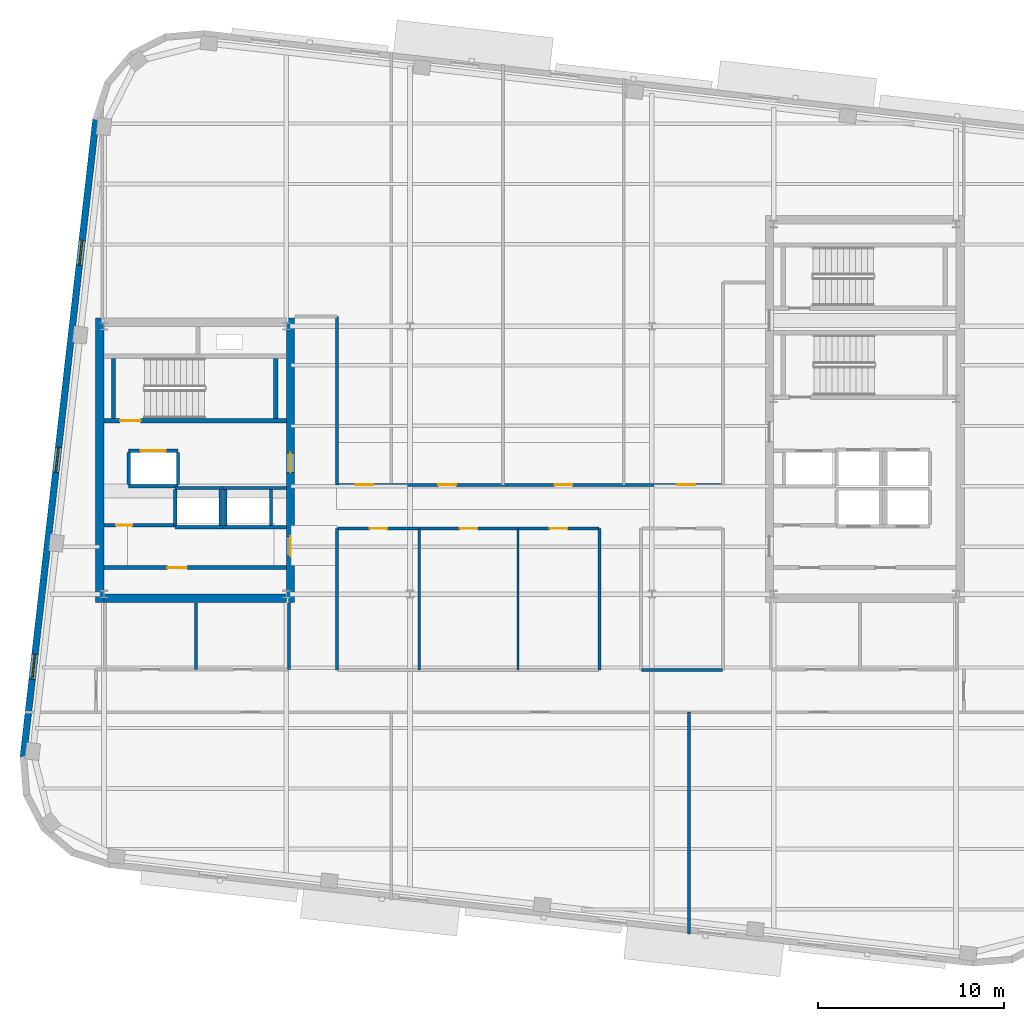
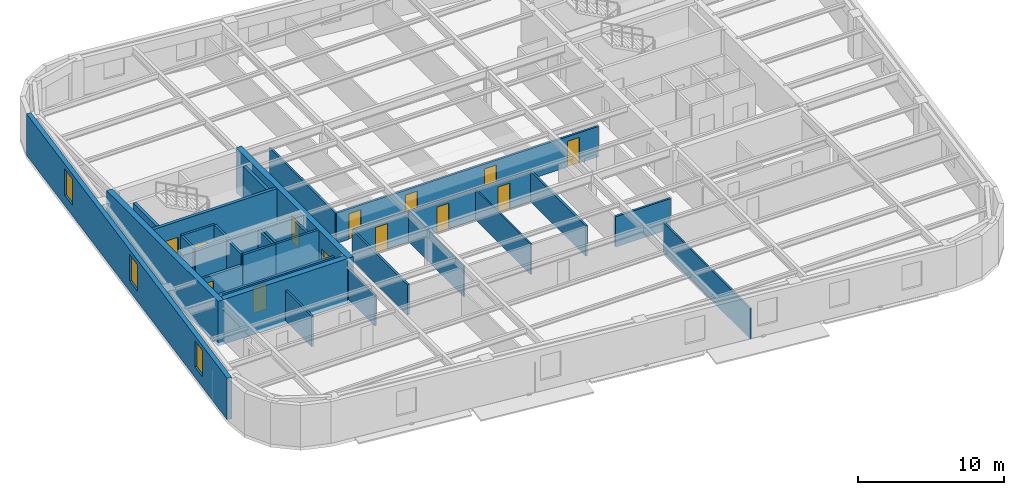
# One storey, part 6 of 13: 32 walls, 13 doors, 3 windows, 16 openings.
"""IFC4 building model written with IfcOpenShell, lengths in metres."""

from ifc_helpers import new_model, si_unit, direction, frame, frame_2d, origin, place, context, subcontext, project, spatial, rectangle, extrude, material, layer, layer_set, type_object, element, fill, save


model = new_model("IFC4")

# Units and contexts
model_context = context("Model", 3, precision=1e-05, world=origin(), true_north=direction((0.0, 1.0)))
body_context = subcontext(model_context, "Body", "Model", "MODEL_VIEW")
ifc_project = project(units=[si_unit("LENGTHUNIT", "METRE"), si_unit("AREAUNIT", "SQUARE_METRE"), si_unit("VOLUMEUNIT", "CUBIC_METRE"), si_unit("PLANEANGLEUNIT", "RADIAN"), si_unit("MASSUNIT", "GRAM", prefix="KILO")], contexts=[model_context])

# Site, building, storey
site_placement = place(None, origin())
site = spatial("IfcSite", under=ifc_project, at=site_placement, CompositionType="ELEMENT")
building_placement = place(site_placement, origin())
building = spatial("IfcBuilding", under=site, at=building_placement, Name="Kolvaren Arena Tower", CompositionType="ELEMENT")
storey_placement = place(building_placement, frame((0.0, 0.0, 243.449951171875)))
storey = spatial("IfcBuildingStorey", under=building, at=storey_placement, Name="L59", CompositionType="ELEMENT", Elevation=243.449951171875)

# Wall, openings, doors
ifc_material_1 = material(Name="Gypsum board acoustic assembly", Category="gypsum")
ifc_layer_1 = layer(ifc_material_1, 0.159912109375)
ifc_layer_set_1 = layer_set([ifc_layer_1], Name="Gypsum board acoustic assembly")
wall_type_1 = type_object("IfcWallType", Name="CORR-160", PredefinedType="PARTITIONING", material=ifc_layer_set_1)
wall_1_placement = place(storey_placement, frame((27.080078125, 25.320068359375, 0.0), z_axis=(0.0, 0.0, 1.0), x_axis=(1.0, 0.0, 0.0)))
wall_1 = element("IfcWall", 1, at=wall_1_placement, inside=storey, type_object=wall_type_1, Name="Interior Partition Wall (L59)", PredefinedType="PARTITIONING", context=body_context, shape_type="SweptSolid", body=[
    extrude(rectangle(XDim=20.739990234375, YDim=0.159912109375, at=frame_2d((10.3701171875, 0.0))), origin(), (0.0, 0.0, 1.0), 2.5400390625),
])
opening_1_placement = place(wall_1_placement, frame((0.9951171875, 0.0, 0.0)))
opening_1 = element("IfcOpeningElement", 2, at=opening_1_placement, cuts=wall_1, Name="Opening D05", PredefinedType="OPENING", context=body_context, shape_type="SweptSolid", body=[
    extrude(rectangle(XDim=0.949951171875, YDim=2.14990234375, at=frame_2d((0.47509765625, 1.074951171875))), frame((0.0, 0.08984375, 0.0), z_axis=(0.0, -1.0, 0.0), x_axis=(1.0, 0.0, 0.0)), (0.0, 0.0, 1.0), 0.179931640625),
])
opening_2_placement = place(wall_1_placement, frame((5.445068359375, 0.0, 0.0)))
opening_2 = element("IfcOpeningElement", 3, at=opening_2_placement, cuts=wall_1, Name="Opening D05", PredefinedType="OPENING", context=body_context, shape_type="SweptSolid", body=[
    extrude(rectangle(XDim=0.949951171875, YDim=2.14990234375, at=frame_2d((0.47509765625, 1.074951171875))), frame((0.0, 0.08984375, 0.0), z_axis=(0.0, -1.0, 0.0), x_axis=(1.0, 0.0, 0.0)), (0.0, 0.0, 1.0), 0.179931640625),
])
opening_3_placement = place(wall_1_placement, frame((11.695068359375, 0.0, 0.0)))
opening_3 = element("IfcOpeningElement", 4, at=opening_3_placement, cuts=wall_1, Name="Opening D05", PredefinedType="OPENING", context=body_context, shape_type="SweptSolid", body=[
    extrude(rectangle(XDim=0.949951171875, YDim=2.14990234375, at=frame_2d((0.47509765625, 1.074951171875))), frame((0.0, 0.08984375, 0.0), z_axis=(0.0, -1.0, 0.0), x_axis=(1.0, 0.0, 0.0)), (0.0, 0.0, 1.0), 0.179931640625),
])
opening_4_placement = place(wall_1_placement, frame((18.294921875, 0.0, 0.0)))
opening_4 = element("IfcOpeningElement", 5, at=opening_4_placement, cuts=wall_1, Name="Opening D05", PredefinedType="OPENING", context=body_context, shape_type="SweptSolid", body=[
    extrude(rectangle(XDim=0.949951171875, YDim=2.14990234375, at=frame_2d((0.47509765625, 1.074951171875))), frame((0.0, 0.08984375, 0.0), z_axis=(0.0, -1.0, 0.0), x_axis=(1.0, 0.0, 0.0)), (0.0, 0.0, 1.0), 0.179931640625),
])
ifc_material_2 = material(Name="Solid-core oak acoustic office door", Category="wood")
door_type_1 = type_object("IfcDoorType", Name="DOOR-OF-095", OperationType="NOTDEFINED", PredefinedType="DOOR", material=ifc_material_2)
door_1_placement = place(opening_1_placement, origin())
door_1 = element("IfcDoor", 6, at=door_1_placement, inside=storey, type_object=door_type_1, Name="Corporate Project Office Door (L59)", OperationType="SINGLE_SWING_RIGHT", OverallHeight=2.14990234375, OverallWidth=0.949951171875, PredefinedType="DOOR", context=body_context, shape_type="SweptSolid", body=[
    extrude(rectangle(XDim=0.949951171875, YDim=2.14990234375, at=frame_2d((0.47509765625, 1.074951171875))), frame((0.0, 0.02490234375, 0.0), z_axis=(0.0, -1.0, 0.0), x_axis=(1.0, 0.0, 0.0)), (0.0, 0.0, 1.0), 0.050048828125),
])
fill(opening_1, door_1)
door_2_placement = place(opening_2_placement, origin())
door_2 = element("IfcDoor", 7, at=door_2_placement, inside=storey, type_object=door_type_1, Name="Breakout Pantry and Kitchen Door (L59)", OperationType="SINGLE_SWING_LEFT", OverallHeight=2.14990234375, OverallWidth=0.949951171875, PredefinedType="DOOR", context=body_context, shape_type="SweptSolid", body=[
    extrude(rectangle(XDim=0.949951171875, YDim=2.14990234375, at=frame_2d((0.47509765625, 1.074951171875))), frame((0.0, 0.02490234375, 0.0), z_axis=(0.0, -1.0, 0.0), x_axis=(1.0, 0.0, 0.0)), (0.0, 0.0, 1.0), 0.050048828125),
])
fill(opening_2, door_2)
door_3_placement = place(opening_3_placement, origin())
door_3 = element("IfcDoor", 8, at=door_3_placement, inside=storey, type_object=door_type_1, Name="Executive Office Door (L59)", OperationType="SINGLE_SWING_RIGHT", OverallHeight=2.14990234375, OverallWidth=0.949951171875, PredefinedType="DOOR", context=body_context, shape_type="SweptSolid", body=[
    extrude(rectangle(XDim=0.949951171875, YDim=2.14990234375, at=frame_2d((0.47509765625, 1.074951171875))), frame((0.0, 0.02490234375, 0.0), z_axis=(0.0, -1.0, 0.0), x_axis=(1.0, 0.0, 0.0)), (0.0, 0.0, 1.0), 0.050048828125),
])
fill(opening_3, door_3)
door_4_placement = place(opening_4_placement, origin())
door_4 = element("IfcDoor", 9, at=door_4_placement, inside=storey, type_object=door_type_1, Name="Collaborative Work Studio Door (L59)", OperationType="SINGLE_SWING_LEFT", OverallHeight=2.14990234375, OverallWidth=0.949951171875, PredefinedType="DOOR", context=body_context, shape_type="SweptSolid", body=[
    extrude(rectangle(XDim=0.949951171875, YDim=2.14990234375, at=frame_2d((0.47509765625, 1.074951171875))), frame((0.0, 0.02490234375, 0.0), z_axis=(0.0, -1.0, 0.0), x_axis=(1.0, 0.0, 0.0)), (0.0, 0.0, 1.0), 0.050048828125),
])
fill(opening_4, door_4)

# Wall
wall_2_placement = place(storey_placement, frame((27.080078125, 25.320068359375, 0.0), z_axis=(0.0, 0.0, 1.0), x_axis=(0.0, 1.0, 0.0)))
element("IfcWall", 10, at=wall_2_placement, inside=storey, type_object=wall_type_1, Name="Interior Partition Wall (L59)", PredefinedType="PARTITIONING", context=body_context, shape_type="SweptSolid", body=[
    extrude(rectangle(XDim=9.059814453125, YDim=0.159912109375, at=frame_2d((4.52978515625, 0.0))), origin(), (0.0, 0.0, 1.0), 2.5400390625),
])

# Wall, openings, doors
wall_3_placement = place(storey_placement, frame((27.10009765625, 22.97998046875, 0.0), z_axis=(0.0, 0.0, 1.0), x_axis=(1.0, 0.0, 0.0)))
wall_3 = element("IfcWall", 11, at=wall_3_placement, inside=storey, type_object=wall_type_1, Name="Interior Partition Wall (L59)", PredefinedType="PARTITIONING", context=body_context, shape_type="SweptSolid", body=[
    extrude(rectangle(XDim=14.059814453125, YDim=0.159912109375, at=frame_2d((7.02978515625, 0.0))), origin(), (0.0, 0.0, 1.0), 2.5400390625),
])
opening_5_placement = place(wall_3_placement, frame((1.72509765625, 0.0, 0.0)))
opening_5 = element("IfcOpeningElement", 12, at=opening_5_placement, cuts=wall_3, Name="Opening D05", PredefinedType="OPENING", context=body_context, shape_type="SweptSolid", body=[
    extrude(rectangle(XDim=0.949951171875, YDim=2.14990234375, at=frame_2d((0.47509765625, 1.074951171875))), frame((0.0, 0.08984375, 0.0), z_axis=(0.0, -1.0, 0.0), x_axis=(1.0, 0.0, 0.0)), (0.0, 0.0, 1.0), 0.179931640625),
])
opening_6_placement = place(wall_3_placement, frame((6.574951171875, 0.0, 0.0)))
opening_6 = element("IfcOpeningElement", 13, at=opening_6_placement, cuts=wall_3, Name="Opening D05", PredefinedType="OPENING", context=body_context, shape_type="SweptSolid", body=[
    extrude(rectangle(XDim=0.949951171875, YDim=2.14990234375, at=frame_2d((0.47509765625, 1.074951171875))), frame((0.0, 0.08984375, 0.0), z_axis=(0.0, -1.0, 0.0), x_axis=(1.0, 0.0, 0.0)), (0.0, 0.0, 1.0), 0.179931640625),
])
opening_7_placement = place(wall_3_placement, frame((11.405029296875, 0.0, 0.0)))
opening_7 = element("IfcOpeningElement", 14, at=opening_7_placement, cuts=wall_3, Name="Opening D05", PredefinedType="OPENING", context=body_context, shape_type="SweptSolid", body=[
    extrude(rectangle(XDim=0.949951171875, YDim=2.14990234375, at=frame_2d((0.47509765625, 1.074951171875))), frame((0.0, 0.08984375, 0.0), z_axis=(0.0, -1.0, 0.0), x_axis=(1.0, 0.0, 0.0)), (0.0, 0.0, 1.0), 0.179931640625),
])
door_5_placement = place(opening_5_placement, origin())
door_5 = element("IfcDoor", 15, at=door_5_placement, inside=storey, type_object=door_type_1, Name="Meeting Room Door (L59)", OperationType="SINGLE_SWING_RIGHT", OverallHeight=2.14990234375, OverallWidth=0.949951171875, PredefinedType="DOOR", context=body_context, shape_type="SweptSolid", body=[
    extrude(rectangle(XDim=0.949951171875, YDim=2.14990234375, at=frame_2d((0.47509765625, 1.074951171875))), frame((0.0, 0.02490234375, 0.0), z_axis=(0.0, -1.0, 0.0), x_axis=(1.0, 0.0, 0.0)), (0.0, 0.0, 1.0), 0.050048828125),
])
fill(opening_5, door_5)
door_6_placement = place(opening_6_placement, origin())
door_6 = element("IfcDoor", 16, at=door_6_placement, inside=storey, type_object=door_type_1, Name="Copy and Print Room Door (L59)", OperationType="SINGLE_SWING_LEFT", OverallHeight=2.14990234375, OverallWidth=0.949951171875, PredefinedType="DOOR", context=body_context, shape_type="SweptSolid", body=[
    extrude(rectangle(XDim=0.949951171875, YDim=2.14990234375, at=frame_2d((0.47509765625, 1.074951171875))), frame((0.0, 0.02490234375, 0.0), z_axis=(0.0, -1.0, 0.0), x_axis=(1.0, 0.0, 0.0)), (0.0, 0.0, 1.0), 0.050048828125),
])
fill(opening_6, door_6)
door_7_placement = place(opening_7_placement, origin())
door_7 = element("IfcDoor", 17, at=door_7_placement, inside=storey, type_object=door_type_1, Name="Boardroom Door (L59)", OperationType="SINGLE_SWING_RIGHT", OverallHeight=2.14990234375, OverallWidth=0.949951171875, PredefinedType="DOOR", context=body_context, shape_type="SweptSolid", body=[
    extrude(rectangle(XDim=0.949951171875, YDim=2.14990234375, at=frame_2d((0.47509765625, 1.074951171875))), frame((0.0, 0.02490234375, 0.0), z_axis=(0.0, -1.0, 0.0), x_axis=(1.0, 0.0, 0.0)), (0.0, 0.0, 1.0), 0.050048828125),
])
fill(opening_7, door_7)

# Walls
wall_4_placement = place(storey_placement, frame((43.43994140625, 15.3798828125, 0.0), z_axis=(0.0, 0.0, 1.0), x_axis=(1.0, 0.0, 0.0)))
element("IfcWall", 18, at=wall_4_placement, inside=storey, type_object=wall_type_1, Name="Interior Partition Wall (L59)", PredefinedType="PARTITIONING", context=body_context, shape_type="SweptSolid", body=[
    extrude(rectangle(XDim=4.360107421875, YDim=0.159912109375, at=frame_2d((2.18017578125, 0.0))), origin(), (0.0, 0.0, 1.0), 2.5400390625),
])
for number, where, z_axis, x_axis, name in (
    (19, (41.179931640625, 15.3798828125, 0.0), (0.0, 0.0, 1.0), (0.0, 1.0, 0.0), "Interior Partition Wall (L59)"),
    (20, (27.080078125, 15.3798828125, 0.0), (0.0, 0.0, 1.0), (0.0, 1.0, 0.0), "Interior Partition Wall (L59)"),
):
    element("IfcWall", number, at=place(storey_placement, frame(where, z_axis=z_axis, x_axis=x_axis)), inside=storey, type_object=wall_type_1, Name=name, PredefinedType="PARTITIONING", context=body_context, shape_type="SweptSolid", body=[
        extrude(rectangle(XDim=7.60009765625, YDim=0.159912109375, at=frame_2d((3.800048828125, 0.0))), origin(), (0.0, 0.0, 1.0), 2.5400390625),
    ])
ifc_material_3 = material(Name="Concrete 55 MPa", Category="concrete")
ifc_layer_2 = layer(ifc_material_3, 0.449951171875)
ifc_layer_set_2 = layer_set([ifc_layer_2], Name="Concrete 55 MPa")
wall_type_2 = type_object("IfcWallType", Name="CWALL-450", PredefinedType="SHEAR", material=ifc_layer_set_2)
wall_5_placement = place(storey_placement, frame((14.324951171875, 19.0, -0.27001953125), z_axis=(0.0, 0.0, 1.0), x_axis=(0.0, 1.0, 0.0)))
element("IfcWall", 21, at=wall_5_placement, inside=storey, type_object=wall_type_2, Name="Core Shear Wall WC-WEST (L59)", PredefinedType="SHEAR", context=body_context, shape_type="SweptSolid", body=[
    extrude(rectangle(XDim=15.300048828125, YDim=0.449951171875, at=frame_2d((7.64990234375, 0.0))), origin(), (0.0, 0.0, 1.0), 3.75),
])

# Wall, openings, doors
wall_6_placement = place(storey_placement, frame((24.574951171875, 19.0, -0.27001953125), z_axis=(0.0, 0.0, 1.0), x_axis=(0.0, 1.0, 0.0)))
wall_6 = element("IfcWall", 22, at=wall_6_placement, inside=storey, type_object=wall_type_2, Name="Core Shear Wall WC-EAST (L59)", PredefinedType="SHEAR", context=body_context, shape_type="SweptSolid", body=[
    extrude(rectangle(XDim=15.300048828125, YDim=0.449951171875, at=frame_2d((7.64990234375, 0.0))), origin(), (0.0, 0.0, 1.0), 3.75),
])
opening_8_placement = place(wall_6_placement, frame((2.5, 0.0, 0.27001953125)))
opening_8 = element("IfcOpeningElement", 23, at=opening_8_placement, cuts=wall_6, Name="Opening D04", PredefinedType="OPENING", context=body_context, shape_type="SweptSolid", body=[
    extrude(rectangle(XDim=1.050048828125, YDim=2.14990234375, at=frame_2d((0.52490234375, 1.074951171875))), frame((0.0, 0.23486328125, 0.0), z_axis=(0.0, -1.0, 0.0), x_axis=(1.0, 0.0, 0.0)), (0.0, 0.0, 1.0), 0.469970703125),
])
opening_9_placement = place(wall_6_placement, frame((7.0, 0.0, 0.27001953125)))
opening_9 = element("IfcOpeningElement", 24, at=opening_9_placement, cuts=wall_6, Name="Opening D04", PredefinedType="OPENING", context=body_context, shape_type="SweptSolid", body=[
    extrude(rectangle(XDim=1.050048828125, YDim=2.14990234375, at=frame_2d((0.52490234375, 1.074951171875))), frame((0.0, 0.23486328125, 0.0), z_axis=(0.0, -1.0, 0.0), x_axis=(1.0, 0.0, 0.0)), (0.0, 0.0, 1.0), 0.469970703125),
])
ifc_material_4 = material(Name="Fire-rated steel lobby door", Category="steel")
door_type_2 = type_object("IfcDoorType", Name="DOOR-FF-105", OperationType="NOTDEFINED", PredefinedType="DOOR", material=ifc_material_4)
door_8_placement = place(opening_8_placement, origin())
door_8 = element("IfcDoor", 25, at=door_8_placement, inside=storey, type_object=door_type_2, Name="West Lift Lobby Fire Door (L59)", OperationType="SINGLE_SWING_LEFT", OverallHeight=2.14990234375, OverallWidth=1.050048828125, PredefinedType="DOOR", context=body_context, shape_type="SweptSolid", body=[
    extrude(rectangle(XDim=1.050048828125, YDim=2.14990234375, at=frame_2d((0.52490234375, 1.074951171875))), frame((0.0, 0.02490234375, 0.0), z_axis=(0.0, -1.0, 0.0), x_axis=(1.0, 0.0, 0.0)), (0.0, 0.0, 1.0), 0.050048828125),
])
fill(opening_8, door_8)
door_9_placement = place(opening_9_placement, origin())
door_9 = element("IfcDoor", 26, at=door_9_placement, inside=storey, type_object=door_type_2, Name="West Firefighter Vestibule Door (L59)", OperationType="SINGLE_SWING_RIGHT", OverallHeight=2.14990234375, OverallWidth=1.050048828125, PredefinedType="DOOR", context=body_context, shape_type="SweptSolid", body=[
    extrude(rectangle(XDim=1.050048828125, YDim=2.14990234375, at=frame_2d((0.52490234375, 1.074951171875))), frame((0.0, 0.02490234375, 0.0), z_axis=(0.0, -1.0, 0.0), x_axis=(1.0, 0.0, 0.0)), (0.0, 0.0, 1.0), 0.050048828125),
])
fill(opening_9, door_9)

# Wall
wall_7_placement = place(storey_placement, frame((14.550048828125, 19.22509765625, -0.27001953125), z_axis=(0.0, 0.0, 1.0), x_axis=(1.0, 0.0, 0.0)))
element("IfcWall", 27, at=wall_7_placement, inside=storey, type_object=wall_type_2, Name="Core Shear Wall WC-SOUTH (L59)", PredefinedType="SHEAR", context=body_context, shape_type="SweptSolid", body=[
    extrude(rectangle(XDim=9.800048828125, YDim=0.449951171875, at=frame_2d((4.89990234375, 0.0))), origin(), (0.0, 0.0, 1.0), 3.75),
])

# Wall, openings, windows
ifc_material_5 = material(Name="Precast concrete C50/60", Category="concrete")
ifc_layer_3 = layer(ifc_material_5, 0.360107421875)
ifc_layer_set_3 = layer_set([ifc_layer_3], Name="Precast concrete C50/60")
wall_type_3 = type_object("IfcWallType", Name="EXT-PIER2", PredefinedType="SOLIDWALL", material=ifc_layer_set_3)
wall_8_placement = place(storey_placement, frame((10.211181640625, 10.70068359375, 0.0), z_axis=(0.0, 0.0, 1.0), x_axis=(0.113203107947, 0.993571867733, 0.0)))
wall_8 = element("IfcWall", 28, at=wall_8_placement, inside=storey, type_object=wall_type_3, Name="Exterior Precast Masonry-Frame Wall (L59)", PredefinedType="SOLIDWALL", context=body_context, shape_type="SweptSolid", body=[
    extrude(rectangle(XDim=34.5, YDim=0.360107421875, at=frame_2d((17.25, 0.0))), origin(), (0.0, 0.0, 1.0), 3.47998046875),
])
opening_10_placement = place(wall_8_placement, frame((4.199951171875, 0.0, 0.8798828125)))
opening_10 = element("IfcOpeningElement", 29, at=opening_10_placement, cuts=wall_8, Name="Opening W04", PredefinedType="OPENING", context=body_context, shape_type="SweptSolid", body=[
    extrude(rectangle(XDim=1.35009765625, YDim=2.199951171875, at=frame_2d((0.675048828125, 1.10009765625))), frame((0.0, 0.18994140625, 0.0), z_axis=(0.0, -1.0, 0.0), x_axis=(1.0, 0.0, 0.0)), (0.0, 0.0, 1.0), 0.380126953125),
])
opening_11_placement = place(wall_8_placement, frame((15.39990234375, 0.0, 0.8798828125)))
opening_11 = element("IfcOpeningElement", 30, at=opening_11_placement, cuts=wall_8, Name="Opening W04", PredefinedType="OPENING", context=body_context, shape_type="SweptSolid", body=[
    extrude(rectangle(XDim=1.35009765625, YDim=2.199951171875, at=frame_2d((0.675048828125, 1.10009765625))), frame((0.0, 0.18994140625, 0.0), z_axis=(0.0, -1.0, 0.0), x_axis=(1.0, 0.0, 0.0)), (0.0, 0.0, 1.0), 0.380126953125),
])
opening_12_placement = place(wall_8_placement, frame((26.60009765625, 0.0, 0.8798828125)))
opening_12 = element("IfcOpeningElement", 31, at=opening_12_placement, cuts=wall_8, Name="Opening W04", PredefinedType="OPENING", context=body_context, shape_type="SweptSolid", body=[
    extrude(rectangle(XDim=1.35009765625, YDim=2.199951171875, at=frame_2d((0.675048828125, 1.10009765625))), frame((0.0, 0.18994140625, 0.0), z_axis=(0.0, -1.0, 0.0), x_axis=(1.0, 0.0, 0.0)), (0.0, 0.0, 1.0), 0.380126953125),
])
ifc_material_6 = material(Name="Triple-glazed curved-facet corner window", Category="glass")
window_type = type_object("IfcWindowType", Name="WIN-CRN-A", PartitioningType="SINGLE_PANEL", PredefinedType="WINDOW", material=ifc_material_6)
window_1_placement = place(opening_10_placement, origin())
window_1 = element("IfcWindow", 32, at=window_1_placement, inside=storey, type_object=window_type, Name="End-Wall Punched Window (L59)", OverallHeight=2.199951171875, OverallWidth=1.35009765625, PartitioningType="SINGLE_PANEL", PredefinedType="WINDOW", context=body_context, shape_type="SweptSolid", body=[
    extrude(rectangle(XDim=1.35009765625, YDim=2.199951171875, at=frame_2d((0.675048828125, 1.10009765625))), frame((0.0, 0.030029296875, 0.0), z_axis=(0.0, -1.0, 0.0), x_axis=(1.0, 0.0, 0.0)), (0.0, 0.0, 1.0), 0.06005859375),
])
fill(opening_10, window_1)
window_2_placement = place(opening_11_placement, origin())
window_2 = element("IfcWindow", 33, at=window_2_placement, inside=storey, type_object=window_type, Name="End-Wall Punched Window (L59)", OverallHeight=2.199951171875, OverallWidth=1.35009765625, PartitioningType="SINGLE_PANEL", PredefinedType="WINDOW", context=body_context, shape_type="SweptSolid", body=[
    extrude(rectangle(XDim=1.35009765625, YDim=2.199951171875, at=frame_2d((0.675048828125, 1.10009765625))), frame((0.0, 0.030029296875, 0.0), z_axis=(0.0, -1.0, 0.0), x_axis=(1.0, 0.0, 0.0)), (0.0, 0.0, 1.0), 0.06005859375),
])
fill(opening_11, window_2)
window_3_placement = place(opening_12_placement, origin())
window_3 = element("IfcWindow", 34, at=window_3_placement, inside=storey, type_object=window_type, Name="End-Wall Punched Window (L59)", OverallHeight=2.199951171875, OverallWidth=1.35009765625, PartitioningType="SINGLE_PANEL", PredefinedType="WINDOW", context=body_context, shape_type="SweptSolid", body=[
    extrude(rectangle(XDim=1.35009765625, YDim=2.199951171875, at=frame_2d((0.675048828125, 1.10009765625))), frame((0.0, 0.030029296875, 0.0), z_axis=(0.0, -1.0, 0.0), x_axis=(1.0, 0.0, 0.0)), (0.0, 0.0, 1.0), 0.06005859375),
])
fill(opening_12, window_3)

# Wall, opening, door
ifc_material_7 = material(Name="Concrete 40 MPa", Category="concrete")
ifc_layer_4 = layer(ifc_material_7, 0.199951171875)
ifc_layer_set_4 = layer_set([ifc_layer_4], Name="Concrete 40 MPa")
wall_type_4 = type_object("IfcWallType", Name="LOBBY-200", PredefinedType="SOLIDWALL", material=ifc_layer_set_4)
wall_9_placement = place(storey_placement, frame((14.550048828125, 20.8798828125, 0.0), z_axis=(0.0, 0.0, 1.0), x_axis=(1.0, 0.0, 0.0)))
wall_9 = element("IfcWall", 35, at=wall_9_placement, inside=storey, type_object=wall_type_4, Name="Core Shaft Wall (L59)", PredefinedType="SOLIDWALL", context=body_context, shape_type="SweptSolid", body=[
    extrude(rectangle(XDim=9.800048828125, YDim=0.199951171875, at=frame_2d((4.89990234375, 0.0))), origin(), (0.0, 0.0, 1.0), 2.5400390625),
])
opening_13_placement = place(wall_9_placement, frame((3.39990234375, 0.0, 0.0)))
opening_13 = element("IfcOpeningElement", 36, at=opening_13_placement, cuts=wall_9, Name="Opening D04", PredefinedType="OPENING", context=body_context, shape_type="SweptSolid", body=[
    extrude(rectangle(XDim=1.050048828125, YDim=2.14990234375, at=frame_2d((0.52490234375, 1.074951171875))), frame((0.0, 0.10986328125, 0.0), z_axis=(0.0, -1.0, 0.0), x_axis=(1.0, 0.0, 0.0)), (0.0, 0.0, 1.0), 0.219970703125),
])
door_10_placement = place(opening_13_placement, origin())
door_10 = element("IfcDoor", 37, at=door_10_placement, inside=storey, type_object=door_type_2, Name="West IT Room Fire Door (L59)", OperationType="SINGLE_SWING_LEFT", OverallHeight=2.14990234375, OverallWidth=1.050048828125, PredefinedType="DOOR", context=body_context, shape_type="SweptSolid", body=[
    extrude(rectangle(XDim=1.050048828125, YDim=2.14990234375, at=frame_2d((0.52490234375, 1.074951171875))), frame((0.0, 0.02490234375, 0.0), z_axis=(0.0, -1.0, 0.0), x_axis=(1.0, 0.0, 0.0)), (0.0, 0.0, 1.0), 0.050048828125),
])
fill(opening_13, door_10)

wall_10_placement = place(storey_placement, frame((14.550048828125, 23.159912109375, 0.0), z_axis=(0.0, 0.0, 1.0), x_axis=(1.0, 0.0, 0.0)))
wall_10 = element("IfcWall", 38, at=wall_10_placement, inside=storey, type_object=wall_type_4, Name="Core Shaft Wall (L59)", PredefinedType="SOLIDWALL", context=body_context, shape_type="SweptSolid", body=[
    extrude(rectangle(XDim=3.820068359375, YDim=0.199951171875, at=frame_2d((1.91015625, 0.0))), origin(), (0.0, 0.0, 1.0), 2.5400390625),
])
opening_14_placement = place(wall_10_placement, frame((0.64990234375, 0.0, 0.0)))
opening_14 = element("IfcOpeningElement", 39, at=opening_14_placement, cuts=wall_10, Name="Opening D09", PredefinedType="OPENING", context=body_context, shape_type="SweptSolid", body=[
    extrude(rectangle(XDim=0.860107421875, YDim=2.050048828125, at=frame_2d((0.43017578125, 1.02490234375))), frame((0.0, 0.10986328125, 0.0), z_axis=(0.0, -1.0, 0.0), x_axis=(1.0, 0.0, 0.0)), (0.0, 0.0, 1.0), 0.219970703125),
])
ifc_material_8 = material(Name="Fire-rated steel riser access door", Category="steel")
door_type_3 = type_object("IfcDoorType", Name="DOOR-RS-086", OperationType="NOTDEFINED", PredefinedType="DOOR", material=ifc_material_8)
door_11_placement = place(opening_14_placement, origin())
door_11 = element("IfcDoor", 40, at=door_11_placement, inside=storey, type_object=door_type_3, Name="West Document Archive Riser Door (L59)", OperationType="SINGLE_SWING_RIGHT", OverallHeight=2.050048828125, OverallWidth=0.860107421875, PredefinedType="DOOR", context=body_context, shape_type="SweptSolid", body=[
    extrude(rectangle(XDim=0.860107421875, YDim=2.050048828125, at=frame_2d((0.43017578125, 1.02490234375))), frame((0.0, 0.02490234375, 0.0), z_axis=(0.0, -1.0, 0.0), x_axis=(1.0, 0.0, 0.0)), (0.0, 0.0, 1.0), 0.050048828125),
])
fill(opening_14, door_11)

# Walls
ifc_material_9 = material(Name="Gypsum board partition assembly", Category="gypsum")
ifc_layer_5 = layer(ifc_material_9, 0.114990234375)
ifc_layer_set_5 = layer_set([ifc_layer_5], Name="Gypsum board partition assembly")
wall_type_5 = type_object("IfcWallType", Name="PART-115", PredefinedType="PARTITIONING", material=ifc_layer_set_5)
for number, where, z_axis, x_axis, name in (
    (41, (31.5, 15.3798828125, 0.0), (0.0, 0.0, 1.0), (0.0, 1.0, 0.0), "Interior Partition Wall (L59)"),
    (42, (36.800048828125, 15.3798828125, 0.0), (0.0, 0.0, 1.0), (0.0, 1.0, 0.0), "Interior Partition Wall (L59)"),
):
    element("IfcWall", number, at=place(storey_placement, frame(where, z_axis=z_axis, x_axis=x_axis)), inside=storey, type_object=wall_type_5, Name=name, PredefinedType="PARTITIONING", context=body_context, shape_type="SweptSolid", body=[
        extrude(rectangle(XDim=7.60009765625, YDim=0.114990234375, at=frame_2d((3.800048828125, 0.0))), origin(), (0.0, 0.0, 1.0), 2.5400390625),
    ])
ifc_layer_6 = layer(ifc_material_9, 0.135009765625)
ifc_layer_set_6 = layer_set([ifc_layer_6], Name="Gypsum board partition assembly")
wall_type_6 = type_object("IfcWallType", Name="PART-135", PredefinedType="PARTITIONING", material=ifc_layer_set_6)
wall_11_placement = place(storey_placement, frame((46.0, 1.188232421875, 0.0), z_axis=(0.0, 0.0, 1.0), x_axis=(0.0, 1.0, 0.0)))
element("IfcWall", 43, at=wall_11_placement, inside=storey, type_object=wall_type_6, Name="Interior Partition Wall (L59)", PredefinedType="PARTITIONING", context=body_context, shape_type="SweptSolid", body=[
    extrude(rectangle(XDim=11.911865234375, YDim=0.135009765625, at=frame_2d((5.9560546875, 0.0))), origin(), (0.0, 0.0, 1.0), 2.5400390625),
])

# Wall, opening, door
ifc_material_10 = material(Name="Concrete 45 MPa", Category="concrete")
ifc_layer_7 = layer(ifc_material_10, 0.25)
ifc_layer_set_7 = layer_set([ifc_layer_7], Name="Concrete 45 MPa")
wall_type_7 = type_object("IfcWallType", Name="SHAFT-250", PredefinedType="SOLIDWALL", material=ifc_layer_set_7)
wall_12_placement = place(storey_placement, frame((24.35009765625, 28.780029296875, 0.0), z_axis=(0.0, 0.0, 1.0), x_axis=(-1.0, 0.0, 0.0)))
wall_12 = element("IfcWall", 44, at=wall_12_placement, inside=storey, type_object=wall_type_7, Name="Core Shaft Wall (L59)", PredefinedType="SOLIDWALL", context=body_context, shape_type="SweptSolid", body=[
    extrude(rectangle(XDim=9.800048828125, YDim=0.239990234375, at=frame_2d((4.89990234375, 0.0))), origin(), (0.0, 0.0, 1.0), 3.47998046875),
])
opening_15_placement = place(wall_12_placement, frame((7.830078125, 0.0, 0.0)))
opening_15 = element("IfcOpeningElement", 45, at=opening_15_placement, cuts=wall_12, Name="Opening D03", PredefinedType="OPENING", context=body_context, shape_type="SweptSolid", body=[
    extrude(rectangle(XDim=1.10009765625, YDim=2.14990234375, at=frame_2d((0.550048828125, 1.074951171875))), frame((0.0, 0.1298828125, 0.0), z_axis=(0.0, -1.0, 0.0), x_axis=(1.0, 0.0, 0.0)), (0.0, 0.0, 1.0), 0.260009765625),
])
ifc_material_11 = material(Name="Fire-rated steel exit stair door", Category="steel")
door_type_4 = type_object("IfcDoorType", Name="DOOR-ST-110", OperationType="NOTDEFINED", PredefinedType="DOOR", material=ifc_material_11)
door_12_placement = place(opening_15_placement, origin())
door_12 = element("IfcDoor", 46, at=door_12_placement, inside=storey, type_object=door_type_4, Name="Stair ST-W1 Fire Door (L59)", OperationType="SINGLE_SWING_RIGHT", OverallHeight=2.14990234375, OverallWidth=1.10009765625, PredefinedType="DOOR", context=body_context, shape_type="SweptSolid", body=[
    extrude(rectangle(XDim=1.10009765625, YDim=2.14990234375, at=frame_2d((0.550048828125, 1.074951171875))), frame((0.0, 0.02490234375, 0.0), z_axis=(0.0, -1.0, 0.0), x_axis=(1.0, 0.0, 0.0)), (0.0, 0.0, 1.0), 0.050048828125),
])
fill(opening_15, door_12)

# Walls
for number, where, z_axis, x_axis, name in (
    (47, (15.06005859375, 28.89990234375, 0.0), (0.0, 0.0, 1.0), (0.0, 1.0, 0.0), "Core Shaft Wall (L59)"),
    (48, (23.780029296875, 28.89990234375, 0.0), (0.0, 0.0, 1.0), (0.0, 1.0, 0.0), "Core Shaft Wall (L59)"),
):
    element("IfcWall", number, at=place(storey_placement, frame(where, z_axis=z_axis, x_axis=x_axis)), inside=storey, type_object=wall_type_7, Name=name, PredefinedType="SOLIDWALL", context=body_context, shape_type="SweptSolid", body=[
        extrude(rectangle(XDim=3.22998046875, YDim=0.239990234375, at=frame_2d((1.614990234375, 0.0))), origin(), (0.0, 0.0, 1.0), 3.47998046875),
    ])
for number, where, z_axis, x_axis, name in (
    (49, (18.3701171875, 25.155029296875, 0.0), (0.0, 0.0, 1.0), (1.0, 0.0, 0.0), "Core Shaft Wall (L59)"),
    (50, (18.3701171875, 23.044921875, 0.0), (0.0, 0.0, 1.0), (1.0, 0.0, 0.0), "Core Shaft Wall (L59)"),
):
    element("IfcWall", number, at=place(storey_placement, frame(where, z_axis=z_axis, x_axis=x_axis)), inside=storey, type_object=wall_type_7, Name=name, PredefinedType="SOLIDWALL", context=body_context, shape_type="SweptSolid", body=[
        extrude(rectangle(XDim=2.579833984375, YDim=0.179931640625, at=frame_2d((1.2900390625, 0.0))), origin(), (0.0, 0.0, 1.0), 3.47998046875),
    ])
for number, where, z_axis, x_axis, name in (
    (51, (18.3701171875, 23.135009765625, 0.0), (0.0, 0.0, 1.0), (0.0, 1.0, 0.0), "Core Shaft Wall (L59)"),
    (52, (20.830078125, 23.135009765625, 0.0), (0.0, 0.0, 1.0), (0.0, 1.0, 0.0), "Core Shaft Wall (L59)"),
):
    element("IfcWall", number, at=place(storey_placement, frame(where, z_axis=z_axis, x_axis=x_axis)), inside=storey, type_object=wall_type_7, Name=name, PredefinedType="SOLIDWALL", context=body_context, shape_type="SweptSolid", body=[
        extrude(rectangle(XDim=1.929931640625, YDim=0.179931640625, at=frame_2d((0.96484375, 0.0))), origin(), (0.0, 0.0, 1.0), 3.47998046875),
    ])
for number, where, z_axis, x_axis, name in (
    (53, (20.949951171875, 25.155029296875, 0.0), (0.0, 0.0, 1.0), (1.0, 0.0, 0.0), "Core Shaft Wall (L59)"),
    (54, (20.949951171875, 23.044921875, 0.0), (0.0, 0.0, 1.0), (1.0, 0.0, 0.0), "Core Shaft Wall (L59)"),
):
    element("IfcWall", number, at=place(storey_placement, frame(where, z_axis=z_axis, x_axis=x_axis)), inside=storey, type_object=wall_type_7, Name=name, PredefinedType="SOLIDWALL", context=body_context, shape_type="SweptSolid", body=[
        extrude(rectangle(XDim=3.400146484375, YDim=0.179931640625, at=frame_2d((1.7001953125, 0.0))), origin(), (0.0, 0.0, 1.0), 3.47998046875),
    ])
for number, where, z_axis, x_axis, name in (
    (55, (21.070068359375, 23.135009765625, 0.0), (0.0, 0.0, 1.0), (0.0, 1.0, 0.0), "Core Shaft Wall (L59)"),
    (56, (23.530029296875, 23.135009765625, 0.0), (0.0, 0.0, 1.0), (0.0, 1.0, 0.0), "Core Shaft Wall (L59)"),
):
    element("IfcWall", number, at=place(storey_placement, frame(where, z_axis=z_axis, x_axis=x_axis)), inside=storey, type_object=wall_type_7, Name=name, PredefinedType="SOLIDWALL", context=body_context, shape_type="SweptSolid", body=[
        extrude(rectangle(XDim=1.929931640625, YDim=0.179931640625, at=frame_2d((0.96484375, 0.0))), origin(), (0.0, 0.0, 1.0), 3.47998046875),
    ])

# Wall, opening, door
wall_13_placement = place(storey_placement, frame((15.8701171875, 27.155029296875, 0.0), z_axis=(0.0, 0.0, 1.0), x_axis=(1.0, 0.0, 0.0)))
wall_13 = element("IfcWall", 57, at=wall_13_placement, inside=storey, type_object=wall_type_7, Name="Core Shaft Wall (L59)", PredefinedType="SOLIDWALL", context=body_context, shape_type="SweptSolid", body=[
    extrude(rectangle(XDim=2.659912109375, YDim=0.179931640625, at=frame_2d((1.330078125, 0.0))), origin(), (0.0, 0.0, 1.0), 3.47998046875),
])
opening_16_placement = place(wall_13_placement, frame((0.655029296875, 0.0, 0.0)))
opening_16 = element("IfcOpeningElement", 58, at=opening_16_placement, cuts=wall_13, Name="Opening LD2", PredefinedType="OPENING", context=body_context, shape_type="SweptSolid", body=[
    extrude(rectangle(XDim=1.35009765625, YDim=2.300048828125, at=frame_2d((0.675048828125, 1.14990234375))), frame((0.0, 0.099853515625, 0.0), z_axis=(0.0, -1.0, 0.0), x_axis=(1.0, 0.0, 0.0)), (0.0, 0.0, 1.0), 0.199951171875),
])
ifc_material_12 = material(Name="Stainless steel firefighter lift landing door", Category="steel")
door_type_5 = type_object("IfcDoorType", Name="DOOR-LD-135", OperationType="DOUBLE_DOOR_SLIDING", PredefinedType="DOOR", material=ifc_material_12)
door_13_placement = place(opening_16_placement, origin())
door_13 = element("IfcDoor", 59, at=door_13_placement, inside=storey, type_object=door_type_5, Name="Firefighter Lift FF-W1 Landing Door (L59)", OperationType="DOUBLE_DOOR_SLIDING", OverallHeight=2.300048828125, OverallWidth=1.35009765625, PredefinedType="DOOR", context=body_context, shape_type="SweptSolid", body=[
    extrude(rectangle(XDim=1.35009765625, YDim=2.300048828125, at=frame_2d((0.675048828125, 1.14990234375))), frame((0.0, 0.02490234375, 0.0), z_axis=(0.0, -1.0, 0.0), x_axis=(1.0, 0.0, 0.0)), (0.0, 0.0, 1.0), 0.050048828125),
])
fill(opening_16, door_13)

# Walls
wall_14_placement = place(storey_placement, frame((15.8701171875, 25.2451171875, 0.0), z_axis=(0.0, 0.0, 1.0), x_axis=(1.0, 0.0, 0.0)))
element("IfcWall", 60, at=wall_14_placement, inside=storey, type_object=wall_type_7, Name="Core Shaft Wall (L59)", PredefinedType="SOLIDWALL", context=body_context, shape_type="SweptSolid", body=[
    extrude(rectangle(XDim=2.659912109375, YDim=0.179931640625, at=frame_2d((1.330078125, 0.0))), origin(), (0.0, 0.0, 1.0), 3.47998046875),
])
for number, where, z_axis, x_axis, name in (
    (61, (15.8701171875, 25.3349609375, 0.0), (0.0, 0.0, 1.0), (0.0, 1.0, 0.0), "Core Shaft Wall (L59)"),
    (62, (18.530029296875, 25.3349609375, 0.0), (0.0, 0.0, 1.0), (0.0, 1.0, 0.0), "Core Shaft Wall (L59)"),
):
    element("IfcWall", number, at=place(storey_placement, frame(where, z_axis=z_axis, x_axis=x_axis)), inside=storey, type_object=wall_type_7, Name=name, PredefinedType="SOLIDWALL", context=body_context, shape_type="SweptSolid", body=[
        extrude(rectangle(XDim=1.72998046875, YDim=0.179931640625, at=frame_2d((0.864990234375, 0.0))), origin(), (0.0, 0.0, 1.0), 3.47998046875),
    ])
ifc_material_13 = material(Name="Moisture-resistant gypsum assembly", Category="gypsum")
ifc_layer_8 = layer(ifc_material_13, 0.14990234375)
ifc_layer_set_8 = layer_set([ifc_layer_8], Name="Moisture-resistant gypsum assembly")
wall_type_8 = type_object("IfcWallType", Name="WETW-150", PredefinedType="PARTITIONING", material=ifc_layer_set_8)
for number, where, z_axis, x_axis, name in (
    (63, (19.5, 15.39990234375, 0.0), (0.0, 0.0, 1.0), (0.0, 1.0, 0.0), "Interior Partition Wall (L59)"),
    (64, (24.5, 15.39990234375, 0.0), (0.0, 0.0, 1.0), (0.0, 1.0, 0.0), "Interior Partition Wall (L59)"),
):
    element("IfcWall", number, at=place(storey_placement, frame(where, z_axis=z_axis, x_axis=x_axis)), inside=storey, type_object=wall_type_8, Name=name, PredefinedType="PARTITIONING", context=body_context, shape_type="SweptSolid", body=[
        extrude(rectangle(XDim=3.580078125, YDim=0.14990234375, at=frame_2d((1.7900390625, 0.0))), origin(), (0.0, 0.0, 1.0), 2.5400390625),
    ])

save(model, "model.ifc")
